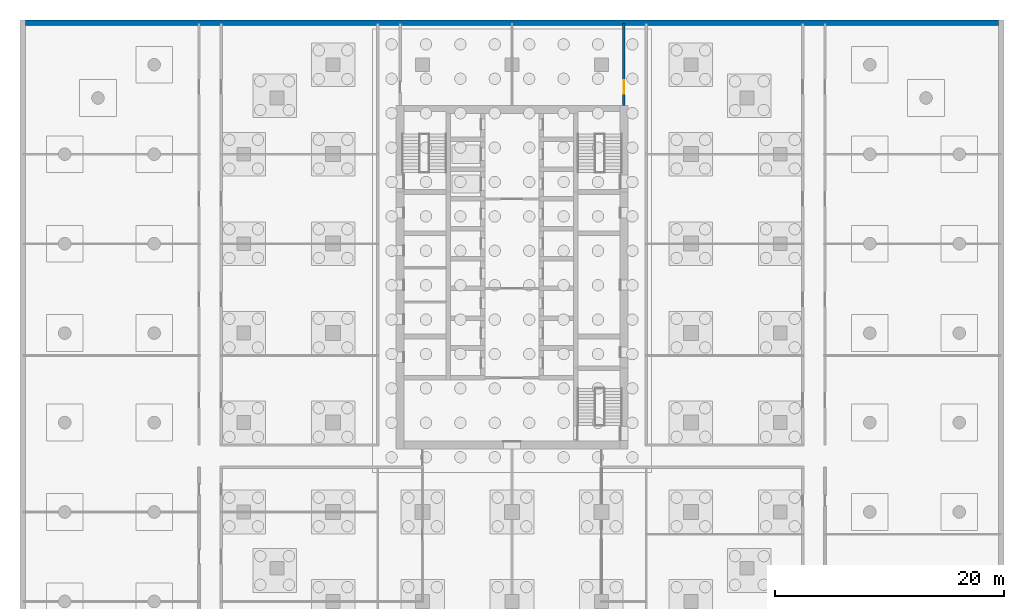
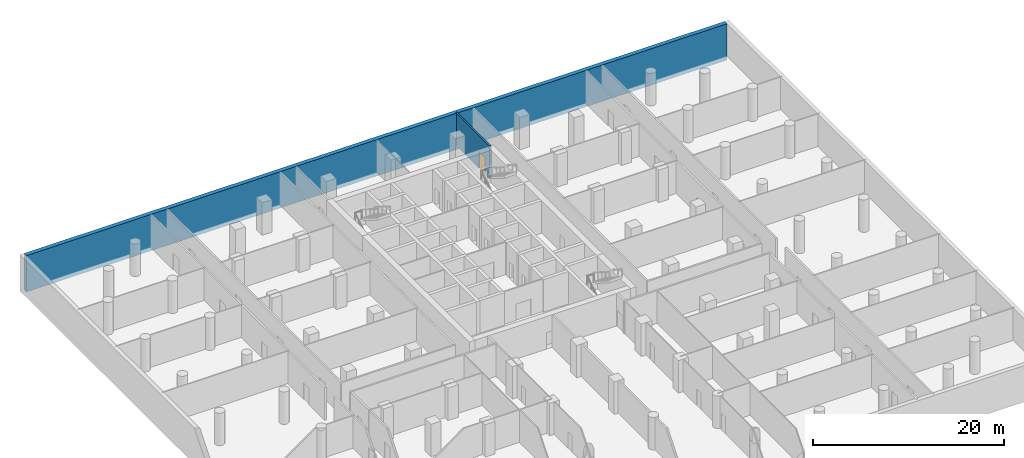
# One storey, part 11 of 16: 2 walls, 1 door, 1 opening.
"""IFC4 building model written with IfcOpenShell, lengths in metres."""

from ifc_helpers import new_model, si_unit, direction, frame, frame_2d, origin, place, context, subcontext, project, spatial, rectangle, extrude, material, layer, layer_set, type_object, element, fill, save


model = new_model("IFC4")

# Units and contexts
model_context = context("Model", 3, precision=1e-05, world=origin(), true_north=direction((0.0, 1.0)))
body_context = subcontext(model_context, "Body", "Model", "MODEL_VIEW")
ifc_project = project(units=[si_unit("LENGTHUNIT", "METRE"), si_unit("AREAUNIT", "SQUARE_METRE"), si_unit("VOLUMEUNIT", "CUBIC_METRE"), si_unit("PLANEANGLEUNIT", "RADIAN"), si_unit("MASSUNIT", "GRAM", prefix="KILO")], contexts=[model_context])

# Site, building, storey
site_placement = place(None, origin())
site = spatial("IfcSite", under=ifc_project, at=site_placement, CompositionType="ELEMENT")
building_placement = place(site_placement, origin())
building = spatial("IfcBuilding", under=site, at=building_placement, Name="Ludao Terraces", CompositionType="ELEMENT")
storey_placement = place(building_placement, frame((0.0, 0.0, -9.0)))
storey = spatial("IfcBuildingStorey", under=building, at=storey_placement, Name="B2", CompositionType="ELEMENT", Elevation=-9.0)

# Wall
ifc_material_1 = material(Name="Concrete C40", Category="concrete")
ifc_layer_1 = layer(ifc_material_1, 0.5)
ifc_layer_set_1 = layer_set([ifc_layer_1], Name="Basement wall 500 C40")
wall_type_1 = type_object("IfcWallType", Name="Basement wall 500 C40", PredefinedType="SOLIDWALL", material=ifc_layer_set_1)
wall_1_placement = place(storey_placement, frame((42.60009765625, 92.050048828125, -0.5), z_axis=(0.0, 0.0, 1.0), x_axis=(1.0, 0.0, 0.0)))
element("IfcWall", 1, at=wall_1_placement, inside=storey, type_object=wall_type_1, Name="Basement wall N B2", PredefinedType="SOLIDWALL", context=body_context, shape_type="SweptSolid", body=[
    extrude(rectangle(XDim=84.7998046875, YDim=0.5, at=frame_2d((42.39990234375, 0.0))), origin(), (0.0, 0.0, 1.0), 4.64990234375),
])

# Wall, opening, door
ifc_material_2 = material(Name="Autoclaved aerated concrete block B06 A3.5", Category="concrete")
ifc_layer_2 = layer(ifc_material_2, 0.199951171875)
ifc_layer_set_2 = layer_set([ifc_layer_2], Name="INT Entrance wall 200")
wall_type_2 = type_object("IfcWallType", Name="INT Entrance wall 200", PredefinedType="PARTITIONING", material=ifc_layer_set_2)
wall_2_placement = place(storey_placement, frame((94.75, 84.85009765625, 0.0), z_axis=(0.0, 0.0, 1.0), x_axis=(0.0, 1.0, 0.0)))
wall_2 = element("IfcWall", 2, at=wall_2_placement, inside=storey, type_object=wall_type_2, Name="PW-B2-PW051", PredefinedType="PARTITIONING", context=body_context, shape_type="SweptSolid", body=[
    extrude(rectangle(XDim=7.14990234375, YDim=0.199951171875, at=frame_2d((3.574951171875, 0.0))), origin(), (0.0, 0.0, 1.0), 4.14990234375),
])
opening_placement = place(wall_2_placement, frame((1.0, 0.0, 0.0)))
opening = element("IfcOpeningElement", 3, at=opening_placement, cuts=wall_2, Name="Opening B2-074", PredefinedType="OPENING", context=body_context, shape_type="SweptSolid", body=[
    extrude(rectangle(XDim=1.199951171875, YDim=2.10009765625, at=frame_2d((0.60009765625, 1.050048828125))), frame((0.0, 0.10986328125, 0.0), z_axis=(0.0, -1.0, 0.0), x_axis=(1.0, 0.0, 0.0)), (0.0, 0.0, 1.0), 0.219970703125),
])
ifc_material_3 = material(Name="Timber door leaf", Category="wood")
door_type = type_object("IfcDoorType", Name="INT Double door 1200", OperationType="DOUBLE_DOOR_SINGLE_SWING", PredefinedType="DOOR", material=ifc_material_3)
door_placement = place(opening_placement, origin())
door = element("IfcDoor", 4, at=door_placement, inside=storey, type_object=door_type, Name="DOOR 074", OperationType="DOUBLE_DOOR_SINGLE_SWING", OverallHeight=2.10009765625, OverallWidth=1.199951171875, PredefinedType="DOOR", context=body_context, shape_type="SweptSolid", body=[
    extrude(rectangle(XDim=1.199951171875, YDim=2.10009765625, at=frame_2d((0.60009765625, 1.050048828125))), frame((0.0, 0.02490234375, 0.0), z_axis=(0.0, -1.0, 0.0), x_axis=(1.0, 0.0, 0.0)), (0.0, 0.0, 1.0), 0.050048828125),
])
fill(opening, door)

save(model, "model.ifc")
